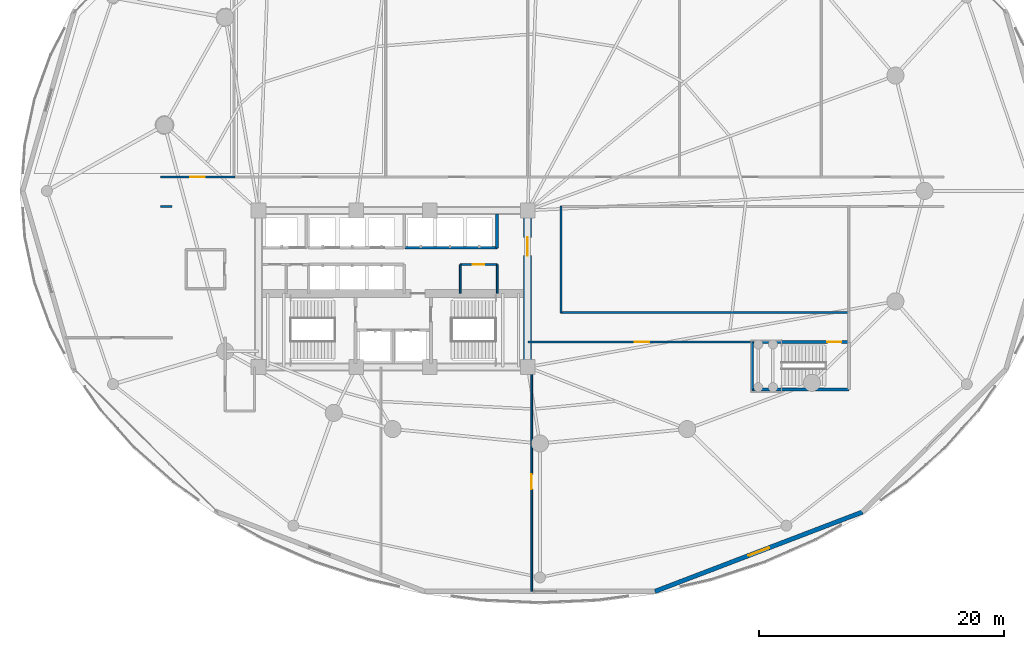
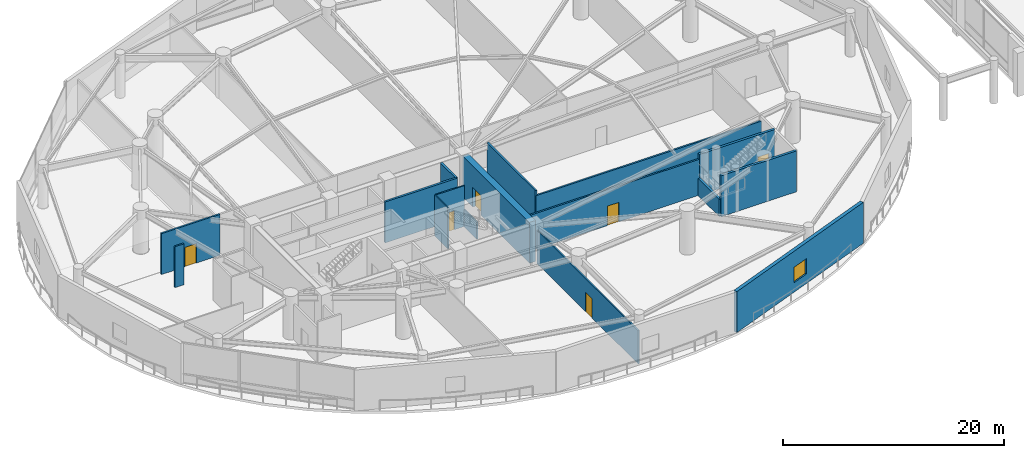
# One storey, part 28 of 40: 16 walls, 6 doors, 1 window, 7 openings.
"""IFC4 building model written with IfcOpenShell, lengths in metres."""

import ifcopenshell
import ifcopenshell.guid

model = None  # the IFC model being written
_history = None  # IfcOwnerHistory: only IFC2X3 demands one
_inside = {}  # id of a spatial element -> (the spatial element, [elements in it])
_under = {}  # id of a project, library or spatial element -> (it, [spatial elements below it])
_declared = {}  # id of a project -> (the project, [libraries it declares])
_typed = {}  # id of a type object -> (the type object, [elements of that type])
_made_of = {}  # id of a material, layer set ... -> (it, [elements and type objects made of it])


def new_model(schema):
    """Start an empty IFC model of exactly this schema.

    Asked for "IFC4X3", IfcOpenShell would pick the latest addendum, in which some entities
    have other attributes; the version numbers below select the first issue.
    IFC2X3 requires an IfcOwnerHistory on every rooted entity: one is made here for all.
    """
    global model, _history
    if schema == "IFC4X3":
        model = ifcopenshell.file(schema_version=(4, 3, 0, 0))
    else:
        model = ifcopenshell.file(schema=schema)
    _inside.clear()
    _under.clear()
    _declared.clear()
    _typed.clear()
    _made_of.clear()
    _history = None
    if model.schema == "IFC2X3":
        org = make("IfcOrganization", Name="unknown")
        user = make(
            "IfcPersonAndOrganization",
            ThePerson=make("IfcPerson", FamilyName="unknown"),
            TheOrganization=org,
        )
        app = make(
            "IfcApplication",
            ApplicationDeveloper=org,
            Version="unknown",
            ApplicationFullName="unknown",
            ApplicationIdentifier="unknown",
        )
        _history = make(
            "IfcOwnerHistory",
            OwningUser=user,
            OwningApplication=app,
            ChangeAction="ADDED",
            CreationDate=0,
        )
    return model


def make(cls, **values):
    """One entity of the class cls with the attributes given. An attribute that is None is left unset."""
    return model.create_entity(
        cls, **{name: value for name, value in values.items() if value is not None}
    )


def rooted(cls, **values):
    """An entity with a GlobalId (a new one), such as an element, a storey or a relation."""
    return make(cls, GlobalId=ifcopenshell.guid.new(), OwnerHistory=_history, **values)


def si_unit(unit_type, name, prefix=None):
    """IfcSIUnit, for example si_unit("LENGTHUNIT", "METRE", prefix="MILLI")."""
    return make("IfcSIUnit", UnitType=unit_type, Prefix=prefix, Name=name)


def assignment(units):
    """IfcUnitAssignment: the units of a project."""
    return None if units is None else make("IfcUnitAssignment", Units=units)


def point(xyz):
    """IfcCartesianPoint."""
    return None if xyz is None else make("IfcCartesianPoint", Coordinates=xyz)


def direction(xyz):
    """IfcDirection."""
    return None if xyz is None else make("IfcDirection", DirectionRatios=xyz)


def frame(location, z_axis=None, x_axis=None):
    """IfcAxis2Placement3D, a coordinate frame: its origin and axes. An axis left out is left unset."""
    return make(
        "IfcAxis2Placement3D",
        Location=point(location),
        Axis=direction(z_axis),
        RefDirection=direction(x_axis),
    )


def frame_2d(location, x_axis=None):
    """IfcAxis2Placement2D, a coordinate frame in the plane: its origin and x axis."""
    return make(
        "IfcAxis2Placement2D", Location=point(location), RefDirection=direction(x_axis)
    )


def origin():
    """The frame at (0, 0, 0) with its axes left unset."""
    return frame((0.0, 0.0, 0.0))


def place(relative_to, where):
    """IfcLocalPlacement: puts the frame where relative to a parent placement (None: the world)."""
    return make(
        "IfcLocalPlacement", PlacementRelTo=relative_to, RelativePlacement=where
    )


def context(
    kind, dimensions, precision=None, world=None, true_north=None, identifier=None
):
    """IfcGeometricRepresentationContext, for example the 3D "Model" context."""
    return make(
        "IfcGeometricRepresentationContext",
        ContextIdentifier=identifier,
        ContextType=kind,
        CoordinateSpaceDimension=dimensions,
        Precision=precision,
        WorldCoordinateSystem=world,
        TrueNorth=true_north,
    )


def subcontext(parent, identifier, kind, view, scale=None):
    """IfcGeometricRepresentationSubContext, for example "Body" below "Model"."""
    return make(
        "IfcGeometricRepresentationSubContext",
        ContextIdentifier=identifier,
        ContextType=kind,
        ParentContext=parent,
        TargetScale=scale,
        TargetView=view,
    )


def project(units=None, contexts=None):
    """IfcProject with its units and contexts."""
    return rooted(
        "IfcProject",
        Name="project",
        RepresentationContexts=contexts,
        UnitsInContext=assignment(units),
    )


def spatial(cls, under=None, at=None, **own):
    """A site, building, storey or space (cls), placed at a placement, below another one or the project."""
    s = rooted(cls, ObjectPlacement=at, **own)
    if under is not None:
        _under.setdefault(under.id(), (under, []))[1].append(s)
    return s


def profile(cls, at=None, kind="AREA", **sizes):
    """A parametric profile (cls). Its sizes go by their IFC names, for example OverallWidth=200.0."""
    return make(cls, ProfileType=kind, Position=at, **sizes)


def rectangle(**sizes):
    """IfcRectangleProfileDef."""
    return profile("IfcRectangleProfileDef", **sizes)


def extrude(swept, where, along, depth):
    """IfcExtrudedAreaSolid: the profile swept, set in the frame where, extruded along a direction by depth."""
    return make(
        "IfcExtrudedAreaSolid",
        SweptArea=swept,
        Position=where,
        ExtrudedDirection=direction(along),
        Depth=depth,
    )


def shape(context_of_items, identifier, shape_type, items):
    """IfcShapeRepresentation: the items that make up one representation, for example the "Body"."""
    return make(
        "IfcShapeRepresentation",
        ContextOfItems=context_of_items,
        RepresentationIdentifier=identifier,
        RepresentationType=shape_type,
        Items=items,
    )


def material(Name=None, Category=None):
    """IfcMaterial."""
    return make("IfcMaterial", Name=Name, Category=Category)


def layer(
    of_material, thickness, ventilated=None, Name=None, Category=None, Priority=None
):
    """IfcMaterialLayer: one layer of a wall or slab, of a material (None: an air gap)."""
    return make(
        "IfcMaterialLayer",
        Material=of_material,
        LayerThickness=thickness,
        IsVentilated=ventilated,
        Name=Name,
        Category=Category,
        Priority=Priority,
    )


def layer_set(layers, Name=None):
    """IfcMaterialLayerSet."""
    return make("IfcMaterialLayerSet", MaterialLayers=layers, LayerSetName=Name)


def made_of(thing, what):
    """Note that an element or type object is made of a material, layer set ...; save() writes the relation."""
    if what is not None:
        _made_of.setdefault(what.id(), (what, []))[1].append(thing)
    return thing


def type_object(cls, material=None, **own):
    """A type object (cls), such as IfcWallType, which elements share."""
    return made_of(rooted(cls, **own), material)


def element(
    cls,
    number,
    at=None,
    inside=None,
    cuts=None,
    type_object=None,
    material=None,
    context=None,
    identifier="Body",
    shape_type=None,
    held_by="IfcProductDefinitionShape",
    body=None,
    shapes=None,
    **own,
):
    """One element of the class cls, such as IfcWall. Its Tag is "e" and its number.

    at: its placement. inside: the storey or other place that contains it. cuts: it is an
    opening in that element (IfcRelVoidsElement). A single representation is given by context,
    identifier, shape_type and body (its items); several are given by shapes. held_by: the class
    of the entity that holds the representations. save() writes the other relations.
    """
    e = rooted(cls, Tag="e%d" % number, ObjectPlacement=at, **own)
    if body is not None:
        shapes = [shape(context, identifier, shape_type, body)]
    if shapes is not None:
        e.Representation = make(held_by, Representations=shapes)
    if inside is not None:
        _inside.setdefault(inside.id(), (inside, []))[1].append(e)
    if cuts is not None:
        rooted(
            "IfcRelVoidsElement", RelatingBuildingElement=cuts, RelatedOpeningElement=e
        )
    if type_object is not None:
        _typed.setdefault(type_object.id(), (type_object, []))[1].append(e)
    return made_of(e, material)


def fill(opening, filler):
    """IfcRelFillsElement: the door or window that sits in an opening."""
    return rooted(
        "IfcRelFillsElement",
        RelatingOpeningElement=opening,
        RelatedBuildingElement=filler,
    )


def aggregate(whole, parts):
    """IfcRelAggregates: a whole, such as a stair, and the parts it consists of."""
    return rooted("IfcRelAggregates", RelatingObject=whole, RelatedObjects=parts)


def save(model, path):
    """Write the relations noted so far, then the file.

    IfcRelAggregates (storeys below a building ...), IfcRelContainedInSpatialStructure (elements
    in a storey), IfcRelDefinesByType, IfcRelAssociatesMaterial and IfcRelDeclares: one each for
    every whole, place, type object, material and project.
    """
    for whole, parts in _under.values():
        aggregate(whole, parts)
    for where, things in _inside.values():
        rooted(
            "IfcRelContainedInSpatialStructure",
            RelatedElements=things,
            RelatingStructure=where,
        )
    for kind, things in _typed.values():
        rooted("IfcRelDefinesByType", RelatedObjects=things, RelatingType=kind)
    for what, things in _made_of.values():
        rooted("IfcRelAssociatesMaterial", RelatedObjects=things, RelatingMaterial=what)
    for by, libraries in _declared.values():
        rooted("IfcRelDeclares", RelatingContext=by, RelatedDefinitions=libraries)
    model.write(path)


model = new_model("IFC4")

# Units and contexts
model_context = context("Model", 3, precision=1e-05, world=origin(), true_north=direction((0.0, 1.0)))
body_context = subcontext(model_context, "Body", "Model", "MODEL_VIEW")
ifc_project = project(units=[si_unit("LENGTHUNIT", "METRE"), si_unit("AREAUNIT", "SQUARE_METRE"), si_unit("VOLUMEUNIT", "CUBIC_METRE"), si_unit("PLANEANGLEUNIT", "RADIAN"), si_unit("MASSUNIT", "GRAM", prefix="KILO")], contexts=[model_context])

# Site, building, storey
site_placement = place(None, origin())
site = spatial("IfcSite", under=ifc_project, at=site_placement, CompositionType="ELEMENT")
building_placement = place(site_placement, origin())
building = spatial("IfcBuilding", under=site, at=building_placement, Name="Kazevale Care Tower and Concert Hall", CompositionType="ELEMENT")
storey_placement = place(building_placement, frame((0.0, 0.0, 9.60009765625)))
storey = spatial("IfcBuildingStorey", under=building, at=storey_placement, Name="L02", CompositionType="ELEMENT", Elevation=9.60009765625)

# Walls
ifc_material_1 = material(Name="Acoustic Gypsum on Steel Stud", Category="steel")
ifc_layer_1 = layer(ifc_material_1, 0.139892578125)
ifc_layer_set_1 = layer_set([ifc_layer_1], Name="Acoustic Gypsum on Steel Stud")
wall_type_1 = type_object("IfcWallType", Name="Acoustic Care & Suite Partition 140", PredefinedType="PARTITIONING", material=ifc_layer_set_1)
wall_1_placement = place(storey_placement, frame((38.47998046875, 29.6201171875, 0.0), z_axis=(0.0, 0.0, 1.0), x_axis=(0.0, 1.0, 0.0)))
element("IfcWall", 1, at=wall_1_placement, inside=storey, type_object=wall_type_1, Name="wall:L02:kb_ew", PredefinedType="PARTITIONING", context=body_context, shape_type="SweptSolid", body=[
    extrude(rectangle(XDim=2.35986328125, YDim=0.139892578125, at=frame_2d((1.179931640625, 0.0))), origin(), (0.0, 0.0, 1.0), 4.52001953125),
])
wall_2_placement = place(storey_placement, frame((41.52001953125, 29.6201171875, 0.0), z_axis=(0.0, 0.0, 1.0), x_axis=(0.0, 1.0, 0.0)))
element("IfcWall", 2, at=wall_2_placement, inside=storey, type_object=wall_type_1, Name="wall:L02:kb_ee", PredefinedType="PARTITIONING", context=body_context, shape_type="SweptSolid", body=[
    extrude(rectangle(XDim=2.35986328125, YDim=0.139892578125, at=frame_2d((1.179931640625, 0.0))), origin(), (0.0, 0.0, 1.0), 1.886962890625),
])

# Wall, opening, door
wall_3_placement = place(storey_placement, frame((38.47998046875, 31.97998046875, 0.0), z_axis=(0.0, 0.0, 1.0), x_axis=(1.0, 0.0, 0.0)))
wall_3 = element("IfcWall", 3, at=wall_3_placement, inside=storey, type_object=wall_type_1, Name="wall:L02:kb_en", PredefinedType="PARTITIONING", context=body_context, shape_type="SweptSolid", body=[
    extrude(rectangle(XDim=3.0400390625, YDim=0.139892578125, at=frame_2d((1.52001953125, 0.0))), origin(), (0.0, 0.0, 1.0), 4.52001953125),
])
opening_1_placement = place(wall_3_placement, frame((1.044921875, 0.0, 0.0)))
opening_1 = element("IfcOpeningElement", 4, at=opening_1_placement, cuts=wall_3, Name="Opening ID-900", PredefinedType="OPENING", context=body_context, shape_type="SweptSolid", body=[
    extrude(rectangle(XDim=0.919921875, YDim=2.10009765625, at=frame_2d((0.4599609375, 1.050048828125))), frame((0.0, 0.079833984375, 0.0), z_axis=(0.0, -1.0, 0.0), x_axis=(1.0, 0.0, 0.0)), (0.0, 0.0, 1.0), 0.159912109375),
])
ifc_material_2 = material(Name="Oak Timber Fire Leaf", Category="wood")
door_type_1 = type_object("IfcDoorType", Name="Bathroom & Service Door 920x2100", OperationType="NOTDEFINED", PredefinedType="DOOR", material=ifc_material_2)
door_1_placement = place(opening_1_placement, origin())
door_1 = element("IfcDoor", 5, at=door_1_placement, inside=storey, type_object=door_type_1, Name="door:L02:d_kbe", OperationType="SINGLE_SWING_LEFT", OverallHeight=2.10009765625, OverallWidth=0.919921875, PredefinedType="DOOR", context=body_context, shape_type="SweptSolid", body=[
    extrude(rectangle(XDim=0.919921875, YDim=2.10009765625, at=frame_2d((0.4599609375, 1.050048828125))), frame((0.0, 0.02490234375, 0.0), z_axis=(0.0, -1.0, 0.0), x_axis=(1.0, 0.0, 0.0)), (0.0, 0.0, 1.0), 0.050048828125),
])
fill(opening_1, door_1)

wall_4_placement = place(storey_placement, frame((44.324951171875, 5.27197265625, 0.0), z_axis=(0.0, 0.0, 1.0), x_axis=(0.0, 1.0, 0.0)))
wall_4 = element("IfcWall", 6, at=wall_4_placement, inside=storey, type_object=wall_type_1, Name="wall:L02:auto_022", PredefinedType="PARTITIONING", context=body_context, shape_type="SweptSolid", body=[
    extrude(rectangle(XDim=18.318115234375, YDim=0.139892578125, at=frame_2d((9.1591796875, 0.0))), origin(), (0.0, 0.0, 1.0), 3.659912109375),
])
opening_2_placement = place(wall_4_placement, frame((8.34912109375, 0.0, 0.0)))
opening_2 = element("IfcOpeningElement", 7, at=opening_2_placement, cuts=wall_4, Name="Opening ID-1200", PredefinedType="OPENING", context=body_context, shape_type="SweptSolid", body=[
    extrude(rectangle(XDim=1.199951171875, YDim=2.14990234375, at=frame_2d((0.60009765625, 1.074951171875))), frame((0.0, 0.079833984375, 0.0), z_axis=(0.0, -1.0, 0.0), x_axis=(1.0, 0.0, 0.0)), (0.0, 0.0, 1.0), 0.159912109375),
])
door_type_2 = type_object("IfcDoorType", Name="Clinical & Therapy Door 1200x2150", OperationType="NOTDEFINED", PredefinedType="DOOR", material=ifc_material_2)
door_2_placement = place(opening_2_placement, origin())
door_2 = element("IfcDoor", 8, at=door_2_placement, inside=storey, type_object=door_type_2, Name="door:L02:ad_022", OperationType="SINGLE_SWING_LEFT", OverallHeight=2.14990234375, OverallWidth=1.199951171875, PredefinedType="DOOR", context=body_context, shape_type="SweptSolid", body=[
    extrude(rectangle(XDim=1.199951171875, YDim=2.14990234375, at=frame_2d((0.60009765625, 1.074951171875))), frame((0.0, 0.02490234375, 0.0), z_axis=(0.0, -1.0, 0.0), x_axis=(1.0, 0.0, 0.0)), (0.0, 0.0, 1.0), 0.050048828125),
])
fill(opening_2, door_2)

ifc_material_3 = material(Name="Concrete C70", Category="concrete")
ifc_layer_2 = layer(ifc_material_3, 0.64990234375)
ifc_layer_set_2 = layer_set([ifc_layer_2], Name="Concrete C70")
wall_type_2 = type_object("IfcWallType", Name="Core Shear Wall 650 C70", PredefinedType="SHEAR", material=ifc_layer_set_2)
wall_5_placement = place(storey_placement, frame((44.0, 23.925048828125, 0.0), z_axis=(0.0, 0.0, 1.0), x_axis=(0.0, 1.0, 0.0)))
wall_5 = element("IfcWall", 9, at=wall_5_placement, inside=storey, type_object=wall_type_2, Name="wall:L02:core:E", PredefinedType="SHEAR", context=body_context, shape_type="SweptSolid", body=[
    extrude(rectangle(XDim=12.14990234375, YDim=0.64990234375, at=frame_2d((6.074951171875, 0.0))), origin(), (0.0, 0.0, 1.0), 4.52001953125),
])
opening_3_placement = place(wall_5_placement, frame((8.77490234375, 0.0, 0.0)))
opening_3 = element("IfcOpeningElement", 10, at=opening_3_placement, cuts=wall_5, Name="Opening FD-60D", PredefinedType="OPENING", context=body_context, shape_type="SweptSolid", body=[
    extrude(rectangle(XDim=1.5, YDim=2.14990234375, at=frame_2d((0.75, 1.074951171875))), frame((0.0, 0.3349609375, 0.0), z_axis=(0.0, -1.0, 0.0), x_axis=(1.0, 0.0, 0.0)), (0.0, 0.0, 1.0), 0.669921875),
])
door_type_3 = type_object("IfcDoorType", Name="Double Lobby & Auditorium Fire Door 1500x2150", OperationType="NOTDEFINED", PredefinedType="DOOR", material=ifc_material_2)
door_3_placement = place(opening_3_placement, origin())
door_3 = element("IfcDoor", 11, at=door_3_placement, inside=storey, type_object=door_type_3, Name="door:L02:core_east_out", OperationType="DOUBLE_DOOR_SINGLE_SWING", OverallHeight=2.14990234375, OverallWidth=1.5, PredefinedType="DOOR", context=body_context, shape_type="SweptSolid", body=[
    extrude(rectangle(XDim=1.5, YDim=2.14990234375, at=frame_2d((0.75, 1.074951171875))), frame((0.0, 0.02490234375, 0.0), z_axis=(0.0, -1.0, 0.0), x_axis=(1.0, 0.0, 0.0)), (0.0, 0.0, 1.0), 0.050048828125),
])
fill(opening_3, door_3)

# Walls
ifc_material_4 = material(Name="Concrete C40", Category="concrete")
ifc_layer_3 = layer(ifc_material_4, 0.219970703125)
ifc_layer_set_3 = layer_set([ifc_layer_3], Name="Concrete C40")
wall_type_3 = type_object("IfcWallType", Name="Elevator Hoistway Shaft Wall 220", PredefinedType="SOLIDWALL", material=ifc_layer_set_3)
wall_6_placement = place(storey_placement, frame((33.97998046875, 33.35009765625, 0.0), z_axis=(0.0, 0.0, 1.0), x_axis=(1.0, 0.0, 0.0)))
element("IfcWall", 12, at=wall_6_placement, inside=storey, type_object=wall_type_3, Name="wall:L02:c_pm_s", PredefinedType="SOLIDWALL", context=body_context, shape_type="SweptSolid", body=[
    extrude(rectangle(XDim=7.5400390625, YDim=0.219970703125, at=frame_2d((3.77001953125, 0.0))), origin(), (0.0, 0.0, 1.0), 4.52001953125),
])
wall_7_placement = place(storey_placement, frame((41.5, 33.35009765625, 0.0), z_axis=(0.0, 0.0, 1.0), x_axis=(0.0, 1.0, 0.0)))
element("IfcWall", 13, at=wall_7_placement, inside=storey, type_object=wall_type_3, Name="wall:L02:c_pm_e", PredefinedType="SOLIDWALL", context=body_context, shape_type="SweptSolid", body=[
    extrude(rectangle(XDim=2.75, YDim=0.219970703125, at=frame_2d((1.375, 0.0))), origin(), (0.0, 0.0, 1.0), 4.52001953125),
])

# Wall, opening, door
ifc_material_5 = material(Name="Concrete C40 and Acoustic Gypsum", Category="concrete")
ifc_layer_4 = layer(ifc_material_5, 0.179931640625)
ifc_layer_set_4 = layer_set([ifc_layer_4], Name="Concrete C40 and Acoustic Gypsum")
wall_type_4 = type_object("IfcWallType", Name="Fire-Rated Corridor & Party Wall 180", PredefinedType="PARTITIONING", material=ifc_layer_set_4)
wall_8_placement = place(storey_placement, frame((13.969970703125, 39.125, 0.0), z_axis=(0.0, 0.0, 1.0), x_axis=(1.0, 0.0, 0.0)))
wall_8 = element("IfcWall", 14, at=wall_8_placement, inside=storey, type_object=wall_type_4, Name="wall:L02:auto_001", PredefinedType="PARTITIONING", context=body_context, shape_type="SweptSolid", body=[
    extrude(rectangle(XDim=6.094970703125, YDim=0.179931640625, at=frame_2d((3.04736328125, 0.0))), origin(), (0.0, 0.0, 1.0), 4.52001953125),
])
opening_4_placement = place(wall_8_placement, frame((2.447021484375, 0.0, 0.0)))
opening_4 = element("IfcOpeningElement", 15, at=opening_4_placement, cuts=wall_8, Name="Opening ID-1200", PredefinedType="OPENING", context=body_context, shape_type="SweptSolid", body=[
    extrude(rectangle(XDim=1.199951171875, YDim=2.14990234375, at=frame_2d((0.60009765625, 1.074951171875))), frame((0.0, 0.099853515625, 0.0), z_axis=(0.0, -1.0, 0.0), x_axis=(1.0, 0.0, 0.0)), (0.0, 0.0, 1.0), 0.199951171875),
])
door_4_placement = place(opening_4_placement, origin())
door_4 = element("IfcDoor", 16, at=door_4_placement, inside=storey, type_object=door_type_2, Name="door:L02:ad_001", OperationType="SINGLE_SWING_LEFT", OverallHeight=2.14990234375, OverallWidth=1.199951171875, PredefinedType="DOOR", context=body_context, shape_type="SweptSolid", body=[
    extrude(rectangle(XDim=1.199951171875, YDim=2.14990234375, at=frame_2d((0.60009765625, 1.074951171875))), frame((0.0, 0.02490234375, 0.0), z_axis=(0.0, -1.0, 0.0), x_axis=(1.0, 0.0, 0.0)), (0.0, 0.0, 1.0), 0.050048828125),
])
fill(opening_4, door_4)

wall_9_placement = place(storey_placement, frame((62.4150390625, 25.64990234375, 0.0), z_axis=(0.0, 0.0, 1.0), x_axis=(-1.0, 0.0, 0.0)))
wall_9 = element("IfcWall", 17, at=wall_9_placement, inside=storey, type_object=wall_type_4, Name="wall:L02:auto_007", PredefinedType="PARTITIONING", context=body_context, shape_type="SweptSolid", body=[
    extrude(rectangle(XDim=18.405029296875, YDim=0.179931640625, at=frame_2d((9.20263671875, 0.0))), origin(), (0.0, 0.0, 1.0), 3.9658203125),
])
opening_5_placement = place(wall_9_placement, frame((8.4599609375, 0.0, 0.0)))
opening_5 = element("IfcOpeningElement", 18, at=opening_5_placement, cuts=wall_9, Name="Opening ID-1200", PredefinedType="OPENING", context=body_context, shape_type="SweptSolid", body=[
    extrude(rectangle(XDim=1.199951171875, YDim=2.14990234375, at=frame_2d((0.60009765625, 1.074951171875))), frame((0.0, 0.099853515625, 0.0), z_axis=(0.0, -1.0, 0.0), x_axis=(1.0, 0.0, 0.0)), (0.0, 0.0, 1.0), 0.199951171875),
])
door_5_placement = place(opening_5_placement, origin())
door_5 = element("IfcDoor", 19, at=door_5_placement, inside=storey, type_object=door_type_2, Name="door:L02:ad_007", OperationType="SINGLE_SWING_LEFT", OverallHeight=2.14990234375, OverallWidth=1.199951171875, PredefinedType="DOOR", context=body_context, shape_type="SweptSolid", body=[
    extrude(rectangle(XDim=1.199951171875, YDim=2.14990234375, at=frame_2d((0.60009765625, 1.074951171875))), frame((0.0, 0.02490234375, 0.0), z_axis=(0.0, -1.0, 0.0), x_axis=(1.0, 0.0, 0.0)), (0.0, 0.0, 1.0), 0.050048828125),
])
fill(opening_5, door_5)

# Walls
wall_10_placement = place(storey_placement, frame((46.695068359375, 28.050048828125, 0.0), z_axis=(0.0, 0.0, 1.0), x_axis=(1.0, 0.0, 0.0)))
element("IfcWall", 20, at=wall_10_placement, inside=storey, type_object=wall_type_4, Name="wall:L02:auto_009", PredefinedType="PARTITIONING", context=body_context, shape_type="SweptSolid", body=[
    extrude(rectangle(XDim=23.5849609375, YDim=0.179931640625, at=frame_2d((11.79248046875, 0.0))), origin(), (0.0, 0.0, 1.0), 3.9658203125),
])
wall_11_placement = place(storey_placement, frame((46.72509765625, 36.7548828125, 0.0), z_axis=(0.0, 0.0, 1.0), x_axis=(0.0, -1.0, 0.0)))
element("IfcWall", 21, at=wall_11_placement, inside=storey, type_object=wall_type_4, Name="wall:L02:auto_010", PredefinedType="PARTITIONING", context=body_context, shape_type="SweptSolid", body=[
    extrude(rectangle(XDim=8.73486328125, YDim=0.179931640625, at=frame_2d((4.367431640625, 0.0))), origin(), (0.0, 0.0, 1.0), 4.52001953125),
])
wall_12_placement = place(storey_placement, frame((14.93994140625, 36.72509765625, 0.0), z_axis=(0.0, 0.0, 1.0), x_axis=(-1.0, 0.0, 0.0)))
element("IfcWall", 22, at=wall_12_placement, inside=storey, type_object=wall_type_4, Name="wall:L02:auto_016", PredefinedType="PARTITIONING", context=body_context, shape_type="SweptSolid", body=[
    extrude(rectangle(XDim=0.969970703125, YDim=0.179931640625, at=frame_2d((0.48486328125, 0.0))), origin(), (0.0, 0.0, 1.0), 4.52001953125),
])

# Wall, opening, window
ifc_material_6 = material(Name="Concrete C40 with Honed Limestone Cladding", Category="masonry")
ifc_layer_5 = layer(ifc_material_6, 0.360107421875)
ifc_layer_set_5 = layer_set([ifc_layer_5], Name="Concrete C40 with Honed Limestone Cladding")
wall_type_5 = type_object("IfcWallType", Name="Podium Insulated Limestone Wall 360", PredefinedType="STANDARD", material=ifc_layer_set_5)
wall_13_placement = place(storey_placement, frame((54.407958984375, 5.261962890625, 0.0), z_axis=(0.0, 0.0, 1.0), x_axis=(0.934014086565, 0.357236176917, 0.0)))
wall_13 = element("IfcWall", 23, at=wall_13_placement, inside=storey, type_object=wall_type_5, Name="wall:L02:podew:12", PredefinedType="STANDARD", context=body_context, shape_type="SweptSolid", body=[
    extrude(rectangle(XDim=18.15087890625, YDim=0.360107421875, at=frame_2d((9.075439453125, 0.0))), origin(), (0.0, 0.0, 1.0), 4.52001953125),
])
opening_6_placement = place(wall_13_placement, frame((8.175048828125, 0.0, 1.050048828125)))
opening_6 = element("IfcOpeningElement", 24, at=opening_6_placement, cuts=wall_13, Name="Opening WIN-2", PredefinedType="OPENING", context=body_context, shape_type="SweptSolid", body=[
    extrude(rectangle(XDim=1.800048828125, YDim=1.699951171875, at=frame_2d((0.89990234375, 0.85009765625))), frame((0.0, 0.18994140625, 0.0), z_axis=(0.0, -1.0, 0.0), x_axis=(1.0, 0.0, 0.0)), (0.0, 0.0, 1.0), 0.380126953125),
])
ifc_material_7 = material(Name="Low-E Laminated Glass", Category="glass")
window_type = type_object("IfcWindowType", Name="Clinical Punched Window 1800x1700", PartitioningType="DOUBLE_PANEL_VERTICAL", PredefinedType="WINDOW", material=ifc_material_7)
window_placement = place(opening_6_placement, origin())
window = element("IfcWindow", 25, at=window_placement, inside=storey, type_object=window_type, Name="win:L02:pod:12", OverallHeight=1.699951171875, OverallWidth=1.800048828125, PartitioningType="SINGLE_PANEL", PredefinedType="WINDOW", context=body_context, shape_type="SweptSolid", body=[
    extrude(rectangle(XDim=1.800048828125, YDim=1.699951171875, at=frame_2d((0.89990234375, 0.85009765625))), frame((0.0, 0.030029296875, 0.0), z_axis=(0.0, -1.0, 0.0), x_axis=(1.0, 0.0, 0.0)), (0.0, 0.0, 1.0), 0.06005859375),
])
fill(opening_6, window)

# Wall, opening, door
ifc_layer_6 = layer(ifc_material_4, 0.25)
ifc_layer_set_6 = layer_set([ifc_layer_6], Name="Concrete C40")
wall_type_6 = type_object("IfcWallType", Name="Pressurized Stair Shaft Wall 250", PredefinedType="SOLIDWALL", material=ifc_layer_set_6)
wall_14_placement = place(storey_placement, frame((62.35009765625, 25.64990234375, 0.0), z_axis=(0.0, 0.0, 1.0), x_axis=(1.0, 0.0, 0.0)))
wall_14 = element("IfcWall", 26, at=wall_14_placement, inside=storey, type_object=wall_type_6, Name="wall:L02:pod_st3_n", PredefinedType="SOLIDWALL", context=body_context, shape_type="SweptSolid", body=[
    extrude(rectangle(XDim=7.89990234375, YDim=0.25, at=frame_2d((3.949951171875, 0.0))), origin(), (0.0, 0.0, 1.0), 4.52001953125),
])
opening_7_placement = place(wall_14_placement, frame((6.139892578125, 0.0, 0.0)))
opening_7 = element("IfcOpeningElement", 27, at=opening_7_placement, cuts=wall_14, Name="Opening FD-90", PredefinedType="OPENING", context=body_context, shape_type="SweptSolid", body=[
    extrude(rectangle(XDim=1.14990234375, YDim=2.10009765625, at=frame_2d((0.574951171875, 1.050048828125))), frame((0.0, 0.135009765625, 0.0), z_axis=(0.0, -1.0, 0.0), x_axis=(1.0, 0.0, 0.0)), (0.0, 0.0, 1.0), 0.27001953125),
])
ifc_material_8 = material(Name="Steel ASTM A572 Gr 50", Category="steel")
door_type_4 = type_object("IfcDoorType", Name="Pressurized Stair & Lobby Fire Door 1150x2100", OperationType="NOTDEFINED", PredefinedType="DOOR", material=ifc_material_8)
door_6_placement = place(opening_7_placement, origin())
door_6 = element("IfcDoor", 28, at=door_6_placement, inside=storey, type_object=door_type_4, Name="door:L02:pod_st3d", OperationType="SINGLE_SWING_LEFT", OverallHeight=2.10009765625, OverallWidth=1.14990234375, PredefinedType="DOOR", context=body_context, shape_type="SweptSolid", body=[
    extrude(rectangle(XDim=1.14990234375, YDim=2.10009765625, at=frame_2d((0.574951171875, 1.050048828125))), frame((0.0, 0.02490234375, 0.0), z_axis=(0.0, -1.0, 0.0), x_axis=(1.0, 0.0, 0.0)), (0.0, 0.0, 1.0), 0.050048828125),
])
fill(opening_7, door_6)

# Walls
wall_15_placement = place(storey_placement, frame((62.35009765625, 21.75, 0.0), z_axis=(0.0, 0.0, 1.0), x_axis=(1.0, 0.0, 0.0)))
element("IfcWall", 29, at=wall_15_placement, inside=storey, type_object=wall_type_6, Name="wall:L02:pod_st3_s", PredefinedType="SOLIDWALL", context=body_context, shape_type="SweptSolid", body=[
    extrude(rectangle(XDim=7.89990234375, YDim=0.25, at=frame_2d((3.949951171875, 0.0))), origin(), (0.0, 0.0, 1.0), 4.52001953125),
])
wall_16_placement = place(storey_placement, frame((62.35009765625, 21.75, 0.0), z_axis=(0.0, 0.0, 1.0), x_axis=(0.0, 1.0, 0.0)))
element("IfcWall", 30, at=wall_16_placement, inside=storey, type_object=wall_type_6, Name="wall:L02:pod_st3_w", PredefinedType="SOLIDWALL", context=body_context, shape_type="SweptSolid", body=[
    extrude(rectangle(XDim=3.89990234375, YDim=0.25, at=frame_2d((1.949951171875, 0.0))), origin(), (0.0, 0.0, 1.0), 1.886962890625),
])

save(model, "model.ifc")
